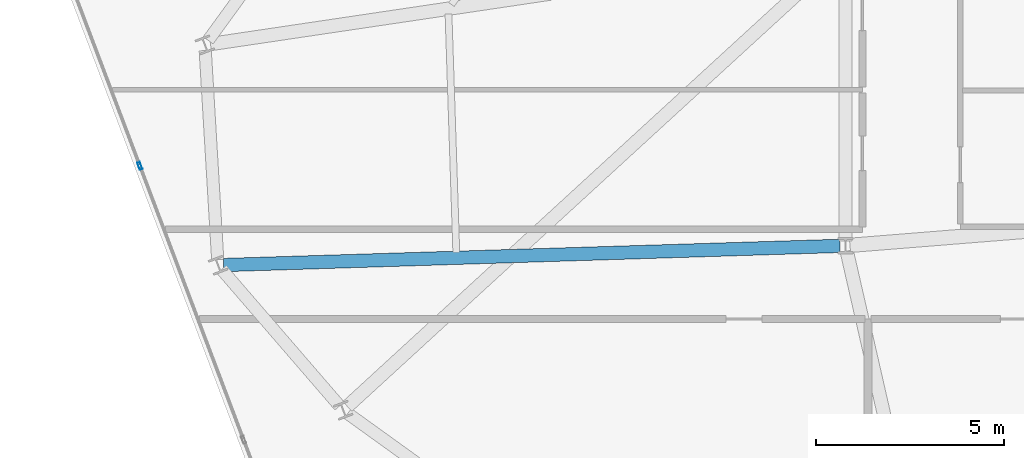
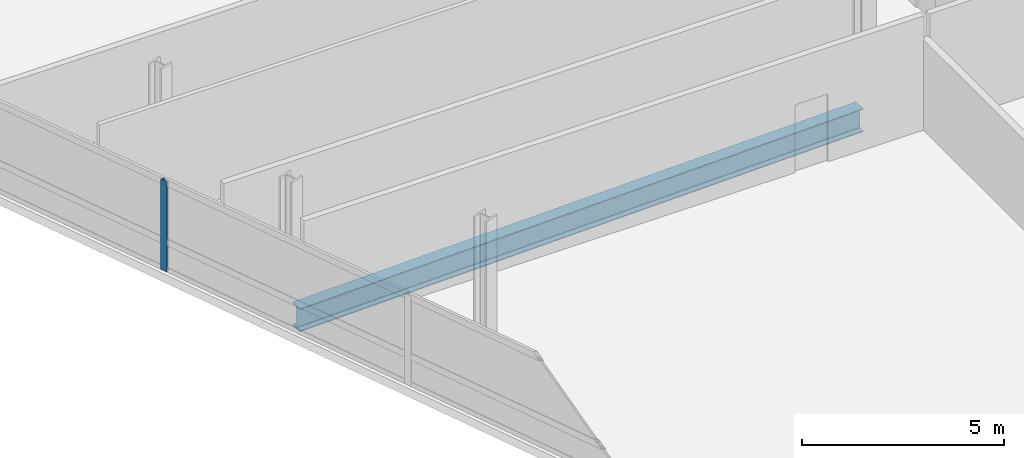
# One storey, part 6 of 20: 1 beam, 1 member, 1 element without a shape of its own.
"""IFC4 building model written with IfcOpenShell, lengths in metres."""

from ifc_helpers import new_model, si_unit, direction, frame, origin, origin_2d, place, context, subcontext, project, spatial, hollow_rectangle, i_section, extrude, material, layer, layer_set, material_profile, profile_set, type_object, element, aggregate, save


model = new_model("IFC4")

# Units and contexts
model_context = context("Model", 3, precision=1e-05, world=origin(), true_north=direction((0.0, 1.0)))
body_context = subcontext(model_context, "Body", "Model", "MODEL_VIEW")
ifc_project = project(units=[si_unit("LENGTHUNIT", "METRE"), si_unit("AREAUNIT", "SQUARE_METRE"), si_unit("VOLUMEUNIT", "CUBIC_METRE"), si_unit("PLANEANGLEUNIT", "RADIAN"), si_unit("MASSUNIT", "GRAM", prefix="KILO")], contexts=[model_context])

# Site, building, storey
site_placement = place(None, origin())
site = spatial("IfcSite", under=ifc_project, at=site_placement, CompositionType="ELEMENT")
building_placement = place(site_placement, origin())
building = spatial("IfcBuilding", under=site, at=building_placement, Name="Varnelok Gate Tower", CompositionType="ELEMENT")
storey_placement = place(building_placement, frame((0.0, 0.0, 234.89990234375)))
storey = spatial("IfcBuildingStorey", under=building, at=storey_placement, Name="L60", CompositionType="ELEMENT", Elevation=234.89990234375)

# Beam
ifc_material_1 = material(Name="Structural Steel ASTM A992 Grade 50", Category="steel")
ifc_material_profile_1 = material_profile(ifc_material_1, i_section(OverallWidth=0.35498046875, OverallDepth=0.696044921875, WebThickness=0.015380859375, FlangeThickness=0.02490234375, FilletRadius=0.02001953125, at=origin_2d()), Name="W27X146")
ifc_profile_set_1 = profile_set([ifc_material_profile_1], Name="Structural Steel ASTM A992 Grade 50")
beam_type = type_object("IfcBeamType", Name="BM-PRI-W27X146", PredefinedType="BEAM", material=ifc_profile_set_1)
beam_placement = place(storey_placement, frame((24.25, 18.79541015625, -0.597900390625), z_axis=(-0.999516665435, -0.031087546033, 0.0), x_axis=(0.031087546033, -0.999516665435, 0.0)))
element("IfcBeam", 1, at=beam_placement, inside=storey, type_object=beam_type, Name="L60 Radial Floor Girder 15", PredefinedType="BEAM", context=body_context, shape_type="SweptSolid", body=[
    extrude(i_section(OverallWidth=0.35498046875, OverallDepth=0.696044921875, WebThickness=0.015380859375, FlangeThickness=0.02490234375, FilletRadius=0.02001953125, at=origin_2d()), origin(), (0.0, 0.0, 1.0), 16.413330078125),
])

# Curtain wall, member
ifc_material_2 = material(Name="Anodized Aluminum Alloy 6063-T6", Category="aluminium")
ifc_layer = layer(ifc_material_2, 0.179931640625)
ifc_layer_set = layer_set([ifc_layer], Name="Anodized Aluminum Alloy 6063-T6")
curtain_wall_type = type_object("IfcCurtainWallType", Name="CW4-RESIDENCE-VISION", PredefinedType="USERDEFINED", material=ifc_layer_set)
curtain_wall_placement = place(storey_placement, origin())
curtain_wall = element("IfcCurtainWall", 2, at=curtain_wall_placement, inside=storey, type_object=curtain_wall_type, Name="L60 West End Vision Curtain Wall", ObjectType="UNITISED CURTAIN WALL", PredefinedType="USERDEFINED")
ifc_material_profile_2 = material_profile(ifc_material_2, hollow_rectangle(XDim=0.074951171875, YDim=0.199951171875, WallThickness=0.00390625, at=origin_2d()), Name="ALU200X75X4")
ifc_profile_set_2 = profile_set([ifc_material_profile_2], Name="Anodized Aluminum Alloy 6063-T6")
member_type = type_object("IfcMemberType", Name="CW-MULL-200", PredefinedType="MULLION", material=ifc_profile_set_2)
member_placement = place(storey_placement, frame((5.61328125, 20.9248046875, 0.0), z_axis=(0.0, 0.0, 1.0), x_axis=(-0.935221557832, -0.354063042079, 0.0)))
member = element("IfcMember", 3, at=member_placement, type_object=member_type, Name="CW4 mullion 4", PredefinedType="MULLION", context=body_context, shape_type="SweptSolid", body=[
    extrude(hollow_rectangle(XDim=0.074951171875, YDim=0.199951171875, WallThickness=0.00390625, at=origin_2d()), origin(), (0.0, 0.0, 1.0), 2.72998046875),
])
aggregate(curtain_wall, [member])

save(model, "model.ifc")
